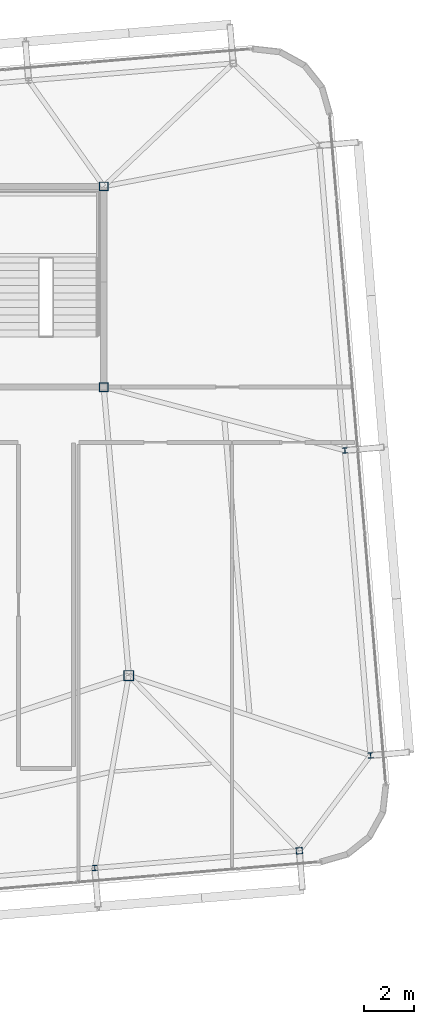
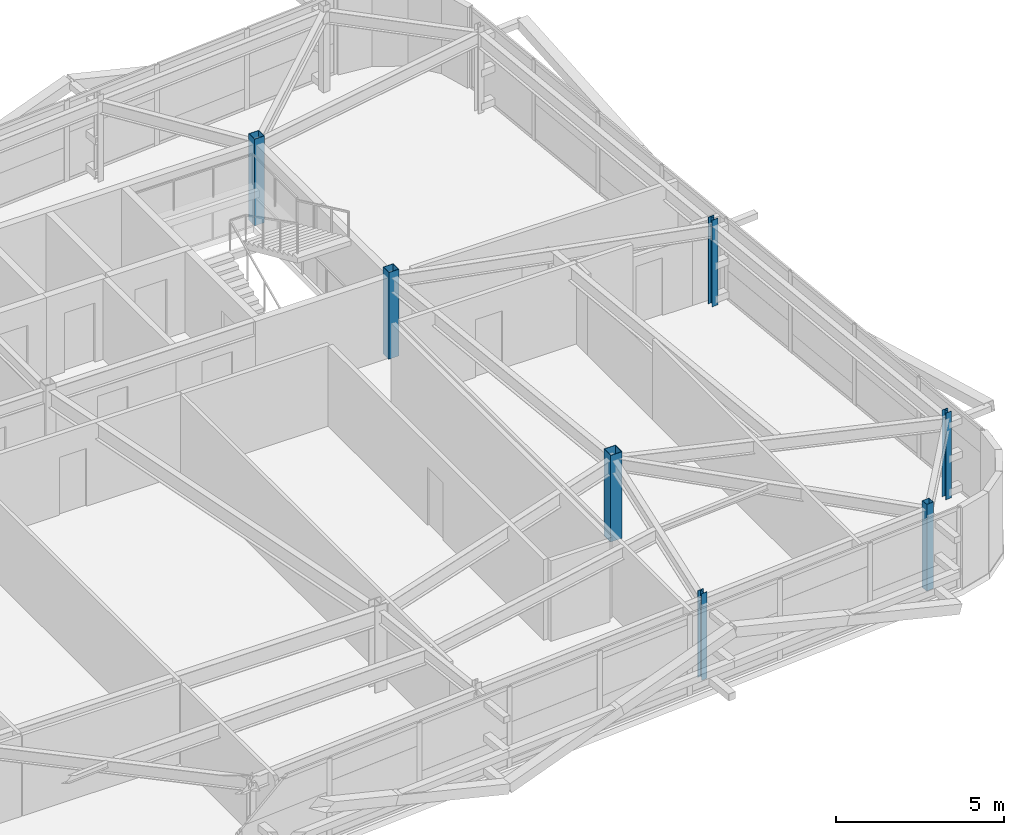
# One storey, part 4 of 46: 7 columns.
"""IFC4 building model written with IfcOpenShell, lengths in metres."""

import ifcopenshell
import ifcopenshell.guid

model = None  # the IFC model being written
_history = None  # IfcOwnerHistory: only IFC2X3 demands one
_inside = {}  # id of a spatial element -> (the spatial element, [elements in it])
_under = {}  # id of a project, library or spatial element -> (it, [spatial elements below it])
_declared = {}  # id of a project -> (the project, [libraries it declares])
_typed = {}  # id of a type object -> (the type object, [elements of that type])
_made_of = {}  # id of a material, layer set ... -> (it, [elements and type objects made of it])


def new_model(schema):
    """Start an empty IFC model of exactly this schema.

    Asked for "IFC4X3", IfcOpenShell would pick the latest addendum, in which some entities
    have other attributes; the version numbers below select the first issue.
    IFC2X3 requires an IfcOwnerHistory on every rooted entity: one is made here for all.
    """
    global model, _history
    if schema == "IFC4X3":
        model = ifcopenshell.file(schema_version=(4, 3, 0, 0))
    else:
        model = ifcopenshell.file(schema=schema)
    _inside.clear()
    _under.clear()
    _declared.clear()
    _typed.clear()
    _made_of.clear()
    _history = None
    if model.schema == "IFC2X3":
        org = make("IfcOrganization", Name="unknown")
        user = make(
            "IfcPersonAndOrganization",
            ThePerson=make("IfcPerson", FamilyName="unknown"),
            TheOrganization=org,
        )
        app = make(
            "IfcApplication",
            ApplicationDeveloper=org,
            Version="unknown",
            ApplicationFullName="unknown",
            ApplicationIdentifier="unknown",
        )
        _history = make(
            "IfcOwnerHistory",
            OwningUser=user,
            OwningApplication=app,
            ChangeAction="ADDED",
            CreationDate=0,
        )
    return model


def make(cls, **values):
    """One entity of the class cls with the attributes given. An attribute that is None is left unset."""
    return model.create_entity(
        cls, **{name: value for name, value in values.items() if value is not None}
    )


def rooted(cls, **values):
    """An entity with a GlobalId (a new one), such as an element, a storey or a relation."""
    return make(cls, GlobalId=ifcopenshell.guid.new(), OwnerHistory=_history, **values)


def si_unit(unit_type, name, prefix=None):
    """IfcSIUnit, for example si_unit("LENGTHUNIT", "METRE", prefix="MILLI")."""
    return make("IfcSIUnit", UnitType=unit_type, Prefix=prefix, Name=name)


def assignment(units):
    """IfcUnitAssignment: the units of a project."""
    return None if units is None else make("IfcUnitAssignment", Units=units)


def point(xyz):
    """IfcCartesianPoint."""
    return None if xyz is None else make("IfcCartesianPoint", Coordinates=xyz)


def direction(xyz):
    """IfcDirection."""
    return None if xyz is None else make("IfcDirection", DirectionRatios=xyz)


def frame(location, z_axis=None, x_axis=None):
    """IfcAxis2Placement3D, a coordinate frame: its origin and axes. An axis left out is left unset."""
    return make(
        "IfcAxis2Placement3D",
        Location=point(location),
        Axis=direction(z_axis),
        RefDirection=direction(x_axis),
    )


def frame_2d(location, x_axis=None):
    """IfcAxis2Placement2D, a coordinate frame in the plane: its origin and x axis."""
    return make(
        "IfcAxis2Placement2D", Location=point(location), RefDirection=direction(x_axis)
    )


def origin():
    """The frame at (0, 0, 0) with its axes left unset."""
    return frame((0.0, 0.0, 0.0))


def origin_2d():
    """The frame at (0, 0) in the plane with its x axis left unset."""
    return frame_2d((0.0, 0.0))


def place(relative_to, where):
    """IfcLocalPlacement: puts the frame where relative to a parent placement (None: the world)."""
    return make(
        "IfcLocalPlacement", PlacementRelTo=relative_to, RelativePlacement=where
    )


def context(
    kind, dimensions, precision=None, world=None, true_north=None, identifier=None
):
    """IfcGeometricRepresentationContext, for example the 3D "Model" context."""
    return make(
        "IfcGeometricRepresentationContext",
        ContextIdentifier=identifier,
        ContextType=kind,
        CoordinateSpaceDimension=dimensions,
        Precision=precision,
        WorldCoordinateSystem=world,
        TrueNorth=true_north,
    )


def subcontext(parent, identifier, kind, view, scale=None):
    """IfcGeometricRepresentationSubContext, for example "Body" below "Model"."""
    return make(
        "IfcGeometricRepresentationSubContext",
        ContextIdentifier=identifier,
        ContextType=kind,
        ParentContext=parent,
        TargetScale=scale,
        TargetView=view,
    )


def project(units=None, contexts=None):
    """IfcProject with its units and contexts."""
    return rooted(
        "IfcProject",
        Name="project",
        RepresentationContexts=contexts,
        UnitsInContext=assignment(units),
    )


def spatial(cls, under=None, at=None, **own):
    """A site, building, storey or space (cls), placed at a placement, below another one or the project."""
    s = rooted(cls, ObjectPlacement=at, **own)
    if under is not None:
        _under.setdefault(under.id(), (under, []))[1].append(s)
    return s


def profile(cls, at=None, kind="AREA", **sizes):
    """A parametric profile (cls). Its sizes go by their IFC names, for example OverallWidth=200.0."""
    return make(cls, ProfileType=kind, Position=at, **sizes)


def hollow_rectangle(**sizes):
    """IfcRectangleHollowProfileDef."""
    return profile("IfcRectangleHollowProfileDef", **sizes)


def i_section(**sizes):
    """IfcIShapeProfileDef."""
    return profile("IfcIShapeProfileDef", **sizes)


def extrude(swept, where, along, depth):
    """IfcExtrudedAreaSolid: the profile swept, set in the frame where, extruded along a direction by depth."""
    return make(
        "IfcExtrudedAreaSolid",
        SweptArea=swept,
        Position=where,
        ExtrudedDirection=direction(along),
        Depth=depth,
    )


def shape(context_of_items, identifier, shape_type, items):
    """IfcShapeRepresentation: the items that make up one representation, for example the "Body"."""
    return make(
        "IfcShapeRepresentation",
        ContextOfItems=context_of_items,
        RepresentationIdentifier=identifier,
        RepresentationType=shape_type,
        Items=items,
    )


def source(mapping_origin, context_of_items, identifier, shape_type, items):
    """IfcRepresentationMap: a shape defined once, which mapped items show again and again."""
    return make(
        "IfcRepresentationMap",
        MappingOrigin=mapping_origin,
        MappedRepresentation=shape(context_of_items, identifier, shape_type, items),
    )


def transform(
    local_origin,
    x_axis=None,
    y_axis=None,
    z_axis=None,
    scale=None,
    scale2=None,
    scale3=None,
    uniform=True,
):
    """IfcCartesianTransformationOperator3D, or its non-uniform kind. x_axis, y_axis, z_axis: its Axis1, 2, 3."""
    if uniform:
        return make(
            "IfcCartesianTransformationOperator3D",
            Axis1=direction(x_axis),
            Axis2=direction(y_axis),
            LocalOrigin=point(local_origin),
            Scale=scale,
            Axis3=direction(z_axis),
        )
    return make(
        "IfcCartesianTransformationOperator3DnonUniform",
        Axis1=direction(x_axis),
        Axis2=direction(y_axis),
        LocalOrigin=point(local_origin),
        Scale=scale,
        Axis3=direction(z_axis),
        Scale2=scale2,
        Scale3=scale3,
    )


def mapped(mapping_source, mapping_target):
    """IfcMappedItem: shows the shape of a source again, moved by a transform."""
    return make(
        "IfcMappedItem", MappingSource=mapping_source, MappingTarget=mapping_target
    )


def material(Name=None, Category=None):
    """IfcMaterial."""
    return make("IfcMaterial", Name=Name, Category=Category)


def material_profile(
    of_material, cross_section, Name=None, Category=None, Priority=None
):
    """IfcMaterialProfile: a cross section and its material."""
    return make(
        "IfcMaterialProfile",
        Name=Name,
        Material=of_material,
        Profile=cross_section,
        Priority=Priority,
        Category=Category,
    )


def profile_set(profiles, Name=None, composite=None):
    """IfcMaterialProfileSet."""
    return make(
        "IfcMaterialProfileSet",
        Name=Name,
        MaterialProfiles=profiles,
        CompositeProfile=composite,
    )


def made_of(thing, what):
    """Note that an element or type object is made of a material, layer set ...; save() writes the relation."""
    if what is not None:
        _made_of.setdefault(what.id(), (what, []))[1].append(thing)
    return thing


def type_object(cls, material=None, **own):
    """A type object (cls), such as IfcWallType, which elements share."""
    return made_of(rooted(cls, **own), material)


def element(
    cls,
    number,
    at=None,
    inside=None,
    cuts=None,
    type_object=None,
    material=None,
    context=None,
    identifier="Body",
    shape_type=None,
    held_by="IfcProductDefinitionShape",
    body=None,
    shapes=None,
    **own,
):
    """One element of the class cls, such as IfcWall. Its Tag is "e" and its number.

    at: its placement. inside: the storey or other place that contains it. cuts: it is an
    opening in that element (IfcRelVoidsElement). A single representation is given by context,
    identifier, shape_type and body (its items); several are given by shapes. held_by: the class
    of the entity that holds the representations. save() writes the other relations.
    """
    e = rooted(cls, Tag="e%d" % number, ObjectPlacement=at, **own)
    if body is not None:
        shapes = [shape(context, identifier, shape_type, body)]
    if shapes is not None:
        e.Representation = make(held_by, Representations=shapes)
    if inside is not None:
        _inside.setdefault(inside.id(), (inside, []))[1].append(e)
    if cuts is not None:
        rooted(
            "IfcRelVoidsElement", RelatingBuildingElement=cuts, RelatedOpeningElement=e
        )
    if type_object is not None:
        _typed.setdefault(type_object.id(), (type_object, []))[1].append(e)
    return made_of(e, material)


def aggregate(whole, parts):
    """IfcRelAggregates: a whole, such as a stair, and the parts it consists of."""
    return rooted("IfcRelAggregates", RelatingObject=whole, RelatedObjects=parts)


def save(model, path):
    """Write the relations noted so far, then the file.

    IfcRelAggregates (storeys below a building ...), IfcRelContainedInSpatialStructure (elements
    in a storey), IfcRelDefinesByType, IfcRelAssociatesMaterial and IfcRelDeclares: one each for
    every whole, place, type object, material and project.
    """
    for whole, parts in _under.values():
        aggregate(whole, parts)
    for where, things in _inside.values():
        rooted(
            "IfcRelContainedInSpatialStructure",
            RelatedElements=things,
            RelatingStructure=where,
        )
    for kind, things in _typed.values():
        rooted("IfcRelDefinesByType", RelatedObjects=things, RelatingType=kind)
    for what, things in _made_of.values():
        rooted("IfcRelAssociatesMaterial", RelatedObjects=things, RelatingMaterial=what)
    for by, libraries in _declared.values():
        rooted("IfcRelDeclares", RelatingContext=by, RelatedDefinitions=libraries)
    model.write(path)


model = new_model("IFC4")

# Units and contexts
model_context = context("Model", 3, precision=1e-05, world=origin(), true_north=direction((0.0, 1.0)))
body_context = subcontext(model_context, "Body", "Model", "MODEL_VIEW")
ifc_project = project(units=[si_unit("LENGTHUNIT", "METRE"), si_unit("AREAUNIT", "SQUARE_METRE"), si_unit("VOLUMEUNIT", "CUBIC_METRE"), si_unit("PLANEANGLEUNIT", "RADIAN"), si_unit("MASSUNIT", "GRAM", prefix="KILO")], contexts=[model_context])

# Site, building, storey
site_placement = place(None, origin())
site = spatial("IfcSite", under=ifc_project, at=site_placement, CompositionType="ELEMENT")
building_placement = place(site_placement, origin())
building = spatial("IfcBuilding", under=site, at=building_placement, Name="Taldren Reach Tower", CompositionType="ELEMENT")
storey_placement = place(building_placement, frame((0.0, 0.0, 188.300048828125)))
storey = spatial("IfcBuildingStorey", under=building, at=storey_placement, Name="L57", CompositionType="ELEMENT", Elevation=188.300048828125)

# Columns
ifc_material_1 = material(Name="Steel Gr 450 (C450L0)", Category="steel")
ifc_material_profile_1 = material_profile(ifc_material_1, hollow_rectangle(XDim=0.39990234375, YDim=0.39990234375, WallThickness=0.01611328125, at=origin_2d()), Name="400x400x16.0SHS")
ifc_profile_set_1 = profile_set([ifc_material_profile_1], Name="Steel Gr 450 (C450L0)")
column_type_1 = type_object("IfcColumnType", Name="COL-SHS400", PredefinedType="COLUMN", material=ifc_profile_set_1)
shared_shape_1 = source(origin(), body_context, "Body", "SweptSolid", [
    extrude(hollow_rectangle(XDim=0.39990234375, YDim=0.39990234375, WallThickness=0.01611328125, at=origin_2d()), origin(), (0.0, 0.0, 1.0), 3.14990234375),
])
column_1_placement = place(storey_placement, frame((52.0, 12.5, 0.0), z_axis=(0.0, 0.0, 1.0), x_axis=(1.0, 0.0, 0.0)))
element("IfcColumn", 1, at=column_1_placement, inside=storey, type_object=column_type_1, Name="Mega column MC-SE L57", PredefinedType="COLUMN", context=body_context, shape_type="MappedRepresentation", body=[
    mapped(shared_shape_1, transform((0.0, 0.0, 0.0), scale=1.0)),
])
ifc_material_profile_2 = material_profile(ifc_material_1, hollow_rectangle(XDim=0.35009765625, YDim=0.35009765625, WallThickness=0.01611328125, at=origin_2d()), Name="350x350x16.0SHS")
ifc_profile_set_2 = profile_set([ifc_material_profile_2], Name="Steel Gr 450 (C450L0)")
column_type_2 = type_object("IfcColumnType", Name="COL-SHS350", PredefinedType="COLUMN", material=ifc_profile_set_2)
shared_shape_2 = source(origin(), body_context, "Body", "SweptSolid", [
    extrude(hollow_rectangle(XDim=0.35009765625, YDim=0.35009765625, WallThickness=0.01611328125, at=origin_2d()), origin(), (0.0, 0.0, 1.0), 3.14990234375),
])
for number, where, z_axis, x_axis, name in (
    (2, (51.0, 24.0, 0.0), (0.0, 0.0, 1.0), (1.0, 0.0, 0.0), "Mega column MC-C4 L57"),
    (3, (51.0, 32.0, 0.0), (0.0, 0.0, 1.0), (1.0, 0.0, 0.0), "Mega column MC-C8 L57"),
):
    element("IfcColumn", number, at=place(storey_placement, frame(where, z_axis=z_axis, x_axis=x_axis)), inside=storey, type_object=column_type_2, Name=name, PredefinedType="COLUMN", context=body_context, shape_type="MappedRepresentation", body=[
        mapped(shared_shape_2, transform((0.0, 0.0, 0.0), scale=1.0)),
    ])
ifc_material_2 = material(Name="Steel Gr 350 (C350L0)", Category="steel")
ifc_material_profile_3 = material_profile(ifc_material_2, hollow_rectangle(XDim=0.25, YDim=0.25, WallThickness=0.010009765625, at=origin_2d()), Name="250x250x10.0SHS")
ifc_profile_set_3 = profile_set([ifc_material_profile_3], Name="Steel Gr 350 (C350L0)")
column_type_3 = type_object("IfcColumnType", Name="COL-SHS250", PredefinedType="COLUMN", material=ifc_profile_set_3)
shared_shape_3 = source(origin(), body_context, "Body", "SweptSolid", [
    extrude(hollow_rectangle(XDim=0.25, YDim=0.25, WallThickness=0.010009765625, at=origin_2d()), origin(), (0.0, 0.0, 1.0), 3.14990234375),
])
column_2_placement = place(storey_placement, frame((58.796142578125, 5.516357421875, 0.0), z_axis=(0.0, 0.0, 1.0), x_axis=(0.99649285925, 0.083677843332, 0.0)))
element("IfcColumn", 4, at=column_2_placement, inside=storey, type_object=column_type_3, Name="Block B4 perimeter column S6 L57", PredefinedType="COLUMN", context=body_context, shape_type="MappedRepresentation", body=[
    mapped(shared_shape_3, transform((0.0, 0.0, 0.0), scale=1.0)),
])
ifc_material_3 = material(Name="Steel Gr 350 (350PLUS)", Category="steel")
ifc_material_profile_4 = material_profile(ifc_material_3, i_section(OverallWidth=0.205078125, OverallDepth=0.2099609375, WebThickness=0.00927734375, FlangeThickness=0.01416015625, at=origin_2d()), Name="200UC59.5")
ifc_profile_set_4 = profile_set([ifc_material_profile_4], Name="Steel Gr 350 (350PLUS)")
column_type_4 = type_object("IfcColumnType", Name="COL-UC200", PredefinedType="COLUMN", material=ifc_profile_set_4)
shared_shape_4 = source(origin(), body_context, "Body", "SweptSolid", [
    extrude(i_section(OverallWidth=0.205078125, OverallDepth=0.2099609375, WebThickness=0.00927734375, FlangeThickness=0.01416015625, at=origin_2d()), origin(), (0.0, 0.0, 1.0), 3.14990234375),
])
for number, where, z_axis, x_axis, name in (
    (5, (50.644775390625, 4.83203125, 0.0), (0.0, 0.0, 1.0), (0.99649285925, 0.083677843332, 0.0), "Block B4 perimeter column S5 L57"),
    (6, (61.63818359375, 9.317626953125, 0.0), (0.0, 0.0, 1.0), (0.99649285925, 0.083677843332, 0.0), "Block B4 perimeter column E1 L57"),
    (7, (60.6171875, 21.474853515625, 0.0), (0.0, 0.0, 1.0), (0.99649285925, 0.083677843332, 0.0), "Block B4 perimeter column E2 L57"),
):
    element("IfcColumn", number, at=place(storey_placement, frame(where, z_axis=z_axis, x_axis=x_axis)), inside=storey, type_object=column_type_4, Name=name, PredefinedType="COLUMN", context=body_context, shape_type="MappedRepresentation", body=[
        mapped(shared_shape_4, transform((0.0, 0.0, 0.0), scale=1.0)),
    ])

save(model, "model.ifc")
